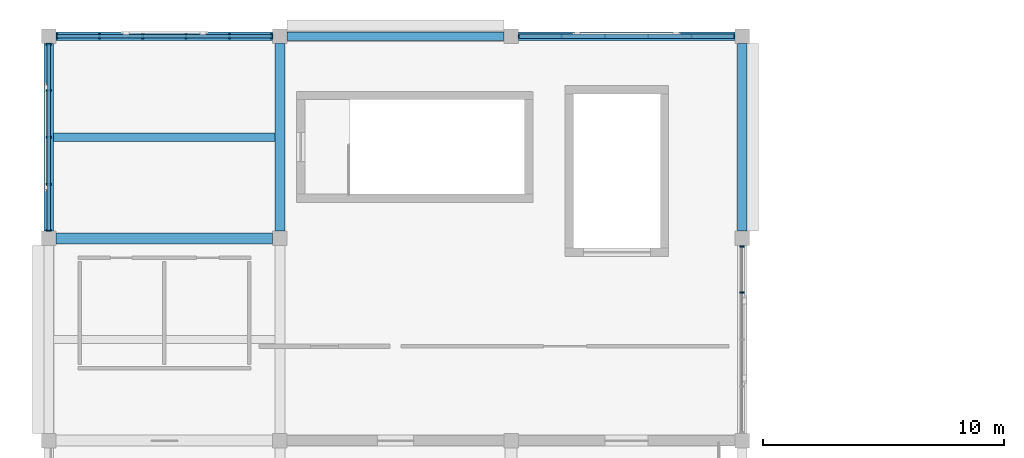
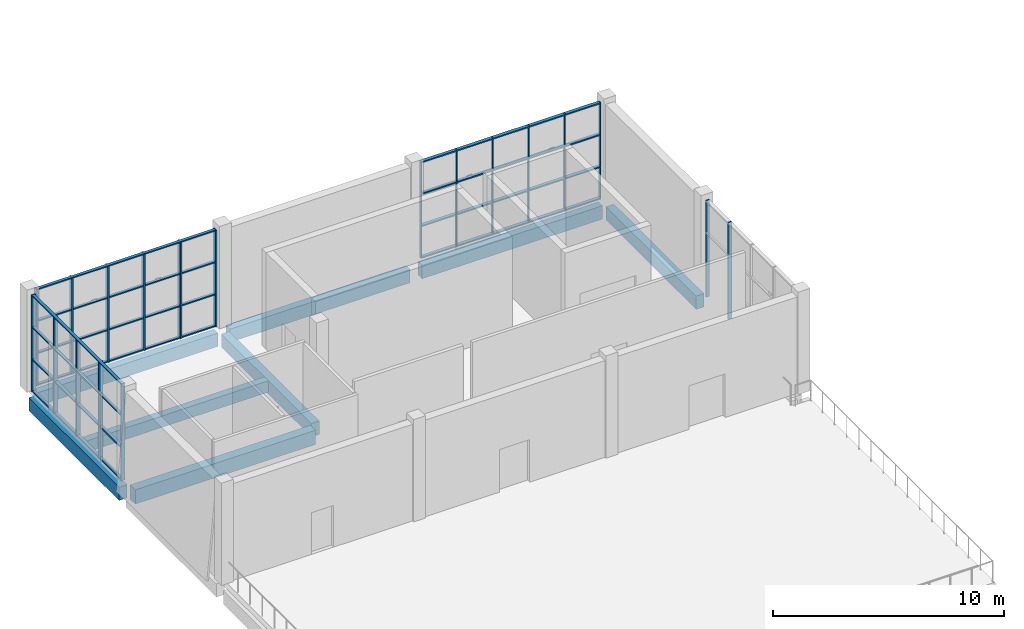
# One storey, part 15 of 57: 31 members, 8 beams, 4 elements without a shape of their own.
"""IFC4 building model written with IfcOpenShell, lengths in metres."""

from ifc_helpers import new_model, si_unit, direction, frame, origin, origin_2d, place, context, subcontext, project, spatial, rectangle, extrude, material, material_profile, profile_set, type_object, element, aggregate, save


model = new_model("IFC4")

# Units and contexts
model_context = context("Model", 3, precision=1e-05, world=origin(), true_north=direction((0.0, 1.0)))
body_context = subcontext(model_context, "Body", "Model", "MODEL_VIEW")
ifc_project = project(units=[si_unit("LENGTHUNIT", "METRE"), si_unit("AREAUNIT", "SQUARE_METRE"), si_unit("VOLUMEUNIT", "CUBIC_METRE"), si_unit("PLANEANGLEUNIT", "RADIAN"), si_unit("MASSUNIT", "GRAM", prefix="KILO")], contexts=[model_context])

# Site, building, storey
site_placement = place(None, origin())
site = spatial("IfcSite", under=ifc_project, at=site_placement, CompositionType="ELEMENT")
building_placement = place(site_placement, origin())
building = spatial("IfcBuilding", under=site, at=building_placement, Name="Shalvenor Court Art Gallery", CompositionType="ELEMENT")
storey_placement = place(building_placement, frame((0.0, 0.0, 16.800048828125)))
storey = spatial("IfcBuildingStorey", under=building, at=storey_placement, Name="L03", CompositionType="ELEMENT", Elevation=16.800048828125)

# Beams
ifc_material_1 = material(Name="Concrete C40/50", Category="concrete")
ifc_material_profile_1 = material_profile(ifc_material_1, rectangle(XDim=0.449951171875, YDim=0.75, at=origin_2d()), Name="RC 450x750")
ifc_profile_set_1 = profile_set([ifc_material_profile_1], Name="Concrete C40/50")
beam_type_1 = type_object("IfcBeamType", Name="B-04", PredefinedType="BEAM", material=ifc_profile_set_1)
beam_1_placement = place(storey_placement, frame((0.300048828125, 114.0, -0.675048828125), z_axis=(1.0, 0.0, 0.0), x_axis=(0.0, 1.0, 0.0)))
element("IfcBeam", 1, at=beam_1_placement, inside=storey, type_object=beam_type_1, Name="L03 Girder BM-L03-B-04-1112", PredefinedType="BEAM", context=body_context, shape_type="SweptSolid", body=[
    extrude(rectangle(XDim=0.449951171875, YDim=0.75, at=origin_2d()), origin(), (0.0, 0.0, 1.0), 9.0),
])
ifc_material_2 = material(Name="Concrete C40/50", Category="concrete")
ifc_material_profile_2 = material_profile(ifc_material_2, rectangle(XDim=0.39990234375, YDim=0.699951171875, at=origin_2d()), Name="RC 400x700")
ifc_profile_set_2 = profile_set([ifc_material_profile_2], Name="Concrete C40/50")
beam_type_2 = type_object("IfcBeamType", Name="B-05", PredefinedType="BEAM", material=ifc_profile_set_2)
for number, where, z_axis, x_axis, name in (
    (2, (0.0, 114.300048828125, -0.650146484375), (0.0, 1.0, 0.0), (-1.0, 0.0, 0.0), "L03 Girder BM-L03-B-05-0968"),
    (3, (9.60009765625, 114.300048828125, -0.650146484375), (0.0, 1.0, 0.0), (-1.0, 0.0, 0.0), "L03 Girder BM-L03-B-05-0972"),
    (4, (28.800048828125, 114.300048828125, -0.650146484375), (0.0, 1.0, 0.0), (-1.0, 0.0, 0.0), "L03 Girder BM-L03-B-05-0977"),
):
    element("IfcBeam", number, at=place(storey_placement, frame(where, z_axis=z_axis, x_axis=x_axis)), inside=storey, type_object=beam_type_2, Name=name, PredefinedType="BEAM", context=body_context, shape_type="SweptSolid", body=[
        extrude(rectangle(XDim=0.39990234375, YDim=0.699951171875, at=origin_2d()), origin(), (0.0, 0.0, 1.0), 7.800048828125),
    ])

# Curtain wall, members
ifc_material_3 = material(Name="Anodised aluminium and low-iron glass curtain wall", Category="aluminium")
curtain_wall_type_1 = type_object("IfcCurtainWallType", Name="CW-4x3-78-51-141", PredefinedType="USERDEFINED", material=ifc_material_3)
curtain_wall_1_placement = place(storey_placement, origin())
curtain_wall_1 = element("IfcCurtainWall", 5, at=curtain_wall_1_placement, inside=storey, type_object=curtain_wall_type_1, Name="L03 V5 Curtain Wall CW-L03-188", ObjectType="CURTAIN WALL", PredefinedType="USERDEFINED")
ifc_material_4 = material(Name="Anodised aluminium mullion", Category="aluminium")
ifc_material_profile_3 = material_profile(ifc_material_4, rectangle(XDim=0.06494140625, YDim=0.179931640625, at=origin_2d()), Name="CWM-01")
ifc_profile_set_3 = profile_set([ifc_material_profile_3], Name="Anodised aluminium mullion")
member_type_1 = type_object("IfcMemberType", Name="CWM-01", PredefinedType="MULLION", material=ifc_profile_set_3)
member_1_placement = place(storey_placement, frame((28.800048828125, 113.66748046875, 0.0), z_axis=(0.0, 0.0, 1.0), x_axis=(0.0, -1.0, 0.0)))
member_1 = element("IfcMember", 6, at=member_1_placement, type_object=member_type_1, Name="CW-4x3-78-51-141 mullion 1", PredefinedType="MULLION", context=body_context, shape_type="SweptSolid", body=[
    extrude(rectangle(XDim=0.06494140625, YDim=0.179931640625, at=origin_2d()), origin(), (0.0, 0.0, 1.0), 5.099853515625),
])
member_2_placement = place(storey_placement, frame((28.800048828125, 111.75, 0.0), z_axis=(0.0, 0.0, 1.0), x_axis=(0.0, -1.0, 0.0)))
member_2 = element("IfcMember", 7, at=member_2_placement, type_object=member_type_1, Name="CW-4x3-78-51-141 mullion 2", PredefinedType="MULLION", context=body_context, shape_type="SweptSolid", body=[
    extrude(rectangle(XDim=0.06494140625, YDim=0.179931640625, at=origin_2d()), origin(), (0.0, 0.0, 1.0), 5.099853515625),
])
aggregate(curtain_wall_1, [member_1, member_2])

ifc_material_5 = material(Name="Anodised aluminium and low-iron glass curtain wall", Category="aluminium")
curtain_wall_type_2 = type_object("IfcCurtainWallType", Name="CW-4x3-78-51-211", PredefinedType="USERDEFINED", material=ifc_material_5)
curtain_wall_2_placement = place(storey_placement, origin())
curtain_wall_2 = element("IfcCurtainWall", 8, at=curtain_wall_2_placement, inside=storey, type_object=curtain_wall_type_2, Name="L03 V5 Curtain Wall CW-L03-189", ObjectType="CURTAIN WALL", PredefinedType="USERDEFINED")
ifc_material_6 = material(Name="Anodised aluminium mullion", Category="aluminium")
ifc_material_profile_4 = material_profile(ifc_material_6, rectangle(XDim=0.070068359375, YDim=0.199951171875, at=origin_2d()), Name="CWM-02")
ifc_profile_set_4 = profile_set([ifc_material_profile_4], Name="Anodised aluminium mullion")
member_type_2 = type_object("IfcMemberType", Name="CWM-02", PredefinedType="MULLION", material=ifc_profile_set_4)
member_3_placement = place(storey_placement, frame((0.0, 114.3349609375, 0.0), z_axis=(0.0, 0.0, 1.0), x_axis=(0.0, 1.0, 0.0)))
member_3 = element("IfcMember", 9, at=member_3_placement, type_object=member_type_2, Name="CW-4x3-78-51-211 mullion 1", PredefinedType="MULLION", context=body_context, shape_type="SweptSolid", body=[
    extrude(rectangle(XDim=0.070068359375, YDim=0.199951171875, at=origin_2d()), origin(), (0.0, 0.0, 1.0), 5.099853515625),
])
member_4_placement = place(storey_placement, frame((0.0, 116.25, 0.0), z_axis=(0.0, 0.0, 1.0), x_axis=(0.0, 1.0, 0.0)))
member_4 = element("IfcMember", 10, at=member_4_placement, type_object=member_type_2, Name="CW-4x3-78-51-211 mullion 2", PredefinedType="MULLION", context=body_context, shape_type="SweptSolid", body=[
    extrude(rectangle(XDim=0.070068359375, YDim=0.199951171875, at=origin_2d()), origin(), (0.0, 0.0, 1.0), 5.099853515625),
])
member_5_placement = place(storey_placement, frame((0.0, 118.199951171875, 0.0), z_axis=(0.0, 0.0, 1.0), x_axis=(0.0, 1.0, 0.0)))
member_5 = element("IfcMember", 11, at=member_5_placement, type_object=member_type_2, Name="CW-4x3-78-51-211 mullion 3", PredefinedType="MULLION", context=body_context, shape_type="SweptSolid", body=[
    extrude(rectangle(XDim=0.070068359375, YDim=0.199951171875, at=origin_2d()), origin(), (0.0, 0.0, 1.0), 5.099853515625),
])
member_6_placement = place(storey_placement, frame((0.0, 120.14990234375, 0.0), z_axis=(0.0, 0.0, 1.0), x_axis=(0.0, 1.0, 0.0)))
member_6 = element("IfcMember", 12, at=member_6_placement, type_object=member_type_2, Name="CW-4x3-78-51-211 mullion 4", PredefinedType="MULLION", context=body_context, shape_type="SweptSolid", body=[
    extrude(rectangle(XDim=0.070068359375, YDim=0.199951171875, at=origin_2d()), origin(), (0.0, 0.0, 1.0), 5.099853515625),
])
member_7_placement = place(storey_placement, frame((0.0, 122.06494140625, 0.0), z_axis=(0.0, 0.0, 1.0), x_axis=(0.0, 1.0, 0.0)))
member_7 = element("IfcMember", 13, at=member_7_placement, type_object=member_type_2, Name="CW-4x3-78-51-211 mullion 5", PredefinedType="MULLION", context=body_context, shape_type="SweptSolid", body=[
    extrude(rectangle(XDim=0.070068359375, YDim=0.199951171875, at=origin_2d()), origin(), (0.0, 0.0, 1.0), 5.099853515625),
])

ifc_material_7 = material(Name="Anodised aluminium and low-iron glass curtain wall", Category="aluminium")
curtain_wall_type_3 = type_object("IfcCurtainWallType", Name="CW-5x3-90-51-411", PredefinedType="USERDEFINED", material=ifc_material_7)
curtain_wall_3_placement = place(storey_placement, origin())
curtain_wall_3 = element("IfcCurtainWall", 14, at=curtain_wall_3_placement, inside=storey, type_object=curtain_wall_type_3, Name="L03 V5 Curtain Wall CW-L03-186", ObjectType="CURTAIN WALL", PredefinedType="USERDEFINED")
ifc_material_8 = material(Name="Anodised aluminium mullion", Category="aluminium")
ifc_material_profile_5 = material_profile(ifc_material_8, rectangle(XDim=0.074951171875, YDim=0.219970703125, at=origin_2d()), Name="CWM-04")
ifc_profile_set_5 = profile_set([ifc_material_profile_5], Name="Anodised aluminium mullion")
member_type_3 = type_object("IfcMemberType", Name="CWM-04", PredefinedType="MULLION", material=ifc_profile_set_5)
member_8_placement = place(storey_placement, frame((0.33740234375, 122.39990234375, 0.0), z_axis=(0.0, 0.0, 1.0), x_axis=(1.0, 0.0, 0.0)))
member_8 = element("IfcMember", 15, at=member_8_placement, type_object=member_type_3, Name="CW-5x3-90-51-411 mullion 1", PredefinedType="MULLION", context=body_context, shape_type="SweptSolid", body=[
    extrude(rectangle(XDim=0.074951171875, YDim=0.219970703125, at=origin_2d()), origin(), (0.0, 0.0, 1.0), 5.099853515625),
])
member_9_placement = place(storey_placement, frame((2.10009765625, 122.39990234375, 0.0), z_axis=(0.0, 0.0, 1.0), x_axis=(1.0, 0.0, 0.0)))
member_9 = element("IfcMember", 16, at=member_9_placement, type_object=member_type_3, Name="CW-5x3-90-51-411 mullion 2", PredefinedType="MULLION", context=body_context, shape_type="SweptSolid", body=[
    extrude(rectangle(XDim=0.074951171875, YDim=0.219970703125, at=origin_2d()), origin(), (0.0, 0.0, 1.0), 5.099853515625),
])
member_10_placement = place(storey_placement, frame((3.89990234375, 122.39990234375, 0.0), z_axis=(0.0, 0.0, 1.0), x_axis=(1.0, 0.0, 0.0)))
member_10 = element("IfcMember", 17, at=member_10_placement, type_object=member_type_3, Name="CW-5x3-90-51-411 mullion 3", PredefinedType="MULLION", context=body_context, shape_type="SweptSolid", body=[
    extrude(rectangle(XDim=0.074951171875, YDim=0.219970703125, at=origin_2d()), origin(), (0.0, 0.0, 1.0), 5.099853515625),
])
member_11_placement = place(storey_placement, frame((5.699951171875, 122.39990234375, 0.0), z_axis=(0.0, 0.0, 1.0), x_axis=(1.0, 0.0, 0.0)))
member_11 = element("IfcMember", 18, at=member_11_placement, type_object=member_type_3, Name="CW-5x3-90-51-411 mullion 4", PredefinedType="MULLION", context=body_context, shape_type="SweptSolid", body=[
    extrude(rectangle(XDim=0.074951171875, YDim=0.219970703125, at=origin_2d()), origin(), (0.0, 0.0, 1.0), 5.099853515625),
])
member_12_placement = place(storey_placement, frame((7.5, 122.39990234375, 0.0), z_axis=(0.0, 0.0, 1.0), x_axis=(1.0, 0.0, 0.0)))
member_12 = element("IfcMember", 19, at=member_12_placement, type_object=member_type_3, Name="CW-5x3-90-51-411 mullion 5", PredefinedType="MULLION", context=body_context, shape_type="SweptSolid", body=[
    extrude(rectangle(XDim=0.074951171875, YDim=0.219970703125, at=origin_2d()), origin(), (0.0, 0.0, 1.0), 5.099853515625),
])
member_13_placement = place(storey_placement, frame((9.262451171875, 122.39990234375, 0.0), z_axis=(0.0, 0.0, 1.0), x_axis=(1.0, 0.0, 0.0)))
member_13 = element("IfcMember", 20, at=member_13_placement, type_object=member_type_3, Name="CW-5x3-90-51-411 mullion 6", PredefinedType="MULLION", context=body_context, shape_type="SweptSolid", body=[
    extrude(rectangle(XDim=0.074951171875, YDim=0.219970703125, at=origin_2d()), origin(), (0.0, 0.0, 1.0), 5.099853515625),
])

ifc_material_9 = material(Name="Anodised aluminium and low-iron glass curtain wall", Category="aluminium")
curtain_wall_type_4 = type_object("IfcCurtainWallType", Name="CW-5x3-90-51-621", PredefinedType="USERDEFINED", material=ifc_material_9)
curtain_wall_4_placement = place(storey_placement, origin())
curtain_wall_4 = element("IfcCurtainWall", 21, at=curtain_wall_4_placement, inside=storey, type_object=curtain_wall_type_4, Name="L03 V5 Curtain Wall CW-L03-187", ObjectType="CURTAIN WALL", PredefinedType="USERDEFINED")
ifc_material_10 = material(Name="Anodised aluminium mullion", Category="aluminium")
ifc_material_profile_6 = material_profile(ifc_material_10, rectangle(XDim=0.054931640625, YDim=0.139892578125, at=origin_2d()), Name="CWM-06")
ifc_profile_set_6 = profile_set([ifc_material_profile_6], Name="Anodised aluminium mullion")
member_type_4 = type_object("IfcMemberType", Name="CWM-06", PredefinedType="MULLION", material=ifc_profile_set_6)
member_14_placement = place(storey_placement, frame((19.527587890625, 122.39990234375, 0.0), z_axis=(0.0, 0.0, 1.0), x_axis=(1.0, 0.0, 0.0)))
member_14 = element("IfcMember", 22, at=member_14_placement, type_object=member_type_4, Name="CW-5x3-90-51-621 mullion 1", PredefinedType="MULLION", context=body_context, shape_type="SweptSolid", body=[
    extrude(rectangle(XDim=0.054931640625, YDim=0.139892578125, at=origin_2d()), origin(), (0.0, 0.0, 1.0), 5.099853515625),
])
member_15_placement = place(storey_placement, frame((21.300048828125, 122.39990234375, 0.0), z_axis=(0.0, 0.0, 1.0), x_axis=(1.0, 0.0, 0.0)))
member_15 = element("IfcMember", 23, at=member_15_placement, type_object=member_type_4, Name="CW-5x3-90-51-621 mullion 2", PredefinedType="MULLION", context=body_context, shape_type="SweptSolid", body=[
    extrude(rectangle(XDim=0.054931640625, YDim=0.139892578125, at=origin_2d()), origin(), (0.0, 0.0, 1.0), 5.099853515625),
])
member_16_placement = place(storey_placement, frame((23.10009765625, 122.39990234375, 0.0), z_axis=(0.0, 0.0, 1.0), x_axis=(1.0, 0.0, 0.0)))
member_16 = element("IfcMember", 24, at=member_16_placement, type_object=member_type_4, Name="CW-5x3-90-51-621 mullion 3", PredefinedType="MULLION", context=body_context, shape_type="SweptSolid", body=[
    extrude(rectangle(XDim=0.054931640625, YDim=0.139892578125, at=origin_2d()), origin(), (0.0, 0.0, 1.0), 5.099853515625),
])
member_17_placement = place(storey_placement, frame((24.89990234375, 122.39990234375, 0.0), z_axis=(0.0, 0.0, 1.0), x_axis=(1.0, 0.0, 0.0)))
member_17 = element("IfcMember", 25, at=member_17_placement, type_object=member_type_4, Name="CW-5x3-90-51-621 mullion 4", PredefinedType="MULLION", context=body_context, shape_type="SweptSolid", body=[
    extrude(rectangle(XDim=0.054931640625, YDim=0.139892578125, at=origin_2d()), origin(), (0.0, 0.0, 1.0), 5.099853515625),
])
member_18_placement = place(storey_placement, frame((26.699951171875, 122.39990234375, 0.0), z_axis=(0.0, 0.0, 1.0), x_axis=(1.0, 0.0, 0.0)))
member_18 = element("IfcMember", 26, at=member_18_placement, type_object=member_type_4, Name="CW-5x3-90-51-621 mullion 5", PredefinedType="MULLION", context=body_context, shape_type="SweptSolid", body=[
    extrude(rectangle(XDim=0.054931640625, YDim=0.139892578125, at=origin_2d()), origin(), (0.0, 0.0, 1.0), 5.099853515625),
])
member_19_placement = place(storey_placement, frame((28.472412109375, 122.39990234375, 0.0), z_axis=(0.0, 0.0, 1.0), x_axis=(1.0, 0.0, 0.0)))
member_19 = element("IfcMember", 27, at=member_19_placement, type_object=member_type_4, Name="CW-5x3-90-51-621 mullion 6", PredefinedType="MULLION", context=body_context, shape_type="SweptSolid", body=[
    extrude(rectangle(XDim=0.054931640625, YDim=0.139892578125, at=origin_2d()), origin(), (0.0, 0.0, 1.0), 5.099853515625),
])

# Member
ifc_material_11 = material(Name="Anodised aluminium transom", Category="aluminium")
ifc_material_profile_7 = material_profile(ifc_material_11, rectangle(XDim=0.14990234375, YDim=0.06005859375, at=origin_2d()), Name="CWT-01")
ifc_profile_set_7 = profile_set([ifc_material_profile_7], Name="Anodised aluminium transom")
member_type_5 = type_object("IfcMemberType", Name="CWT-01", PredefinedType="USERDEFINED", material=ifc_profile_set_7)
member_20_placement = place(storey_placement, frame((0.33740234375, 122.39990234375, 0.030029296875), z_axis=(1.0, 0.0, 0.0), x_axis=(0.0, 1.0, 0.0)))
member_20 = element("IfcMember", 28, at=member_20_placement, type_object=member_type_5, Name="CW-5x3-90-51-411 transom 1", ObjectType="TRANSOM", PredefinedType="USERDEFINED", context=body_context, shape_type="SweptSolid", body=[
    extrude(rectangle(XDim=0.14990234375, YDim=0.06005859375, at=origin_2d()), origin(), (0.0, 0.0, 1.0), 8.925048828125),
])

member_21_placement = place(storey_placement, frame((0.33740234375, 122.39990234375, 1.699951171875), z_axis=(1.0, 0.0, 0.0), x_axis=(0.0, 1.0, 0.0)))
member_21 = element("IfcMember", 29, at=member_21_placement, type_object=member_type_5, Name="CW-5x3-90-51-411 transom 2", ObjectType="TRANSOM", PredefinedType="USERDEFINED", context=body_context, shape_type="SweptSolid", body=[
    extrude(rectangle(XDim=0.14990234375, YDim=0.06005859375, at=origin_2d()), origin(), (0.0, 0.0, 1.0), 8.925048828125),
])

member_22_placement = place(storey_placement, frame((0.33740234375, 122.39990234375, 3.39990234375), z_axis=(1.0, 0.0, 0.0), x_axis=(0.0, 1.0, 0.0)))
member_22 = element("IfcMember", 30, at=member_22_placement, type_object=member_type_5, Name="CW-5x3-90-51-411 transom 3", ObjectType="TRANSOM", PredefinedType="USERDEFINED", context=body_context, shape_type="SweptSolid", body=[
    extrude(rectangle(XDim=0.14990234375, YDim=0.06005859375, at=origin_2d()), origin(), (0.0, 0.0, 1.0), 8.925048828125),
])

member_23_placement = place(storey_placement, frame((0.33740234375, 122.39990234375, 5.070068359375), z_axis=(1.0, 0.0, 0.0), x_axis=(0.0, 1.0, 0.0)))
member_23 = element("IfcMember", 31, at=member_23_placement, type_object=member_type_5, Name="CW-5x3-90-51-411 transom 4", ObjectType="TRANSOM", PredefinedType="USERDEFINED", context=body_context, shape_type="SweptSolid", body=[
    extrude(rectangle(XDim=0.14990234375, YDim=0.06005859375, at=origin_2d()), origin(), (0.0, 0.0, 1.0), 8.925048828125),
])

aggregate(curtain_wall_3, [member_8, member_9, member_10, member_11, member_12, member_13, member_20, member_21, member_22, member_23])

member_24_placement = place(storey_placement, frame((0.0, 114.3349609375, 0.030029296875), z_axis=(0.0, 1.0, 0.0), x_axis=(-1.0, 0.0, 0.0)))
member_24 = element("IfcMember", 32, at=member_24_placement, type_object=member_type_5, Name="CW-4x3-78-51-211 transom 1", ObjectType="TRANSOM", PredefinedType="USERDEFINED", context=body_context, shape_type="SweptSolid", body=[
    extrude(rectangle(XDim=0.14990234375, YDim=0.06005859375, at=origin_2d()), origin(), (0.0, 0.0, 1.0), 7.72998046875),
])

member_25_placement = place(storey_placement, frame((0.0, 114.3349609375, 1.699951171875), z_axis=(0.0, 1.0, 0.0), x_axis=(-1.0, 0.0, 0.0)))
member_25 = element("IfcMember", 33, at=member_25_placement, type_object=member_type_5, Name="CW-4x3-78-51-211 transom 2", ObjectType="TRANSOM", PredefinedType="USERDEFINED", context=body_context, shape_type="SweptSolid", body=[
    extrude(rectangle(XDim=0.14990234375, YDim=0.06005859375, at=origin_2d()), origin(), (0.0, 0.0, 1.0), 7.72998046875),
])

member_26_placement = place(storey_placement, frame((0.0, 114.3349609375, 3.39990234375), z_axis=(0.0, 1.0, 0.0), x_axis=(-1.0, 0.0, 0.0)))
member_26 = element("IfcMember", 34, at=member_26_placement, type_object=member_type_5, Name="CW-4x3-78-51-211 transom 3", ObjectType="TRANSOM", PredefinedType="USERDEFINED", context=body_context, shape_type="SweptSolid", body=[
    extrude(rectangle(XDim=0.14990234375, YDim=0.06005859375, at=origin_2d()), origin(), (0.0, 0.0, 1.0), 7.72998046875),
])

member_27_placement = place(storey_placement, frame((0.0, 114.3349609375, 5.070068359375), z_axis=(0.0, 1.0, 0.0), x_axis=(-1.0, 0.0, 0.0)))
member_27 = element("IfcMember", 35, at=member_27_placement, type_object=member_type_5, Name="CW-4x3-78-51-211 transom 4", ObjectType="TRANSOM", PredefinedType="USERDEFINED", context=body_context, shape_type="SweptSolid", body=[
    extrude(rectangle(XDim=0.14990234375, YDim=0.06005859375, at=origin_2d()), origin(), (0.0, 0.0, 1.0), 7.72998046875),
])

aggregate(curtain_wall_2, [member_3, member_4, member_5, member_6, member_7, member_24, member_25, member_26, member_27])

ifc_material_12 = material(Name="Anodised aluminium transom", Category="aluminium")
ifc_material_profile_8 = material_profile(ifc_material_12, rectangle(XDim=0.169921875, YDim=0.06494140625, at=origin_2d()), Name="CWT-02")
ifc_profile_set_8 = profile_set([ifc_material_profile_8], Name="Anodised aluminium transom")
member_type_6 = type_object("IfcMemberType", Name="CWT-02", PredefinedType="USERDEFINED", material=ifc_profile_set_8)
member_28_placement = place(storey_placement, frame((19.527587890625, 122.39990234375, 0.032470703125), z_axis=(1.0, 0.0, 0.0), x_axis=(0.0, 1.0, 0.0)))
member_28 = element("IfcMember", 36, at=member_28_placement, type_object=member_type_6, Name="CW-5x3-90-51-621 transom 1", ObjectType="TRANSOM", PredefinedType="USERDEFINED", context=body_context, shape_type="SweptSolid", body=[
    extrude(rectangle(XDim=0.169921875, YDim=0.06494140625, at=origin_2d()), origin(), (0.0, 0.0, 1.0), 8.94482421875),
])

member_29_placement = place(storey_placement, frame((19.527587890625, 122.39990234375, 1.699951171875), z_axis=(1.0, 0.0, 0.0), x_axis=(0.0, 1.0, 0.0)))
member_29 = element("IfcMember", 37, at=member_29_placement, type_object=member_type_6, Name="CW-5x3-90-51-621 transom 2", ObjectType="TRANSOM", PredefinedType="USERDEFINED", context=body_context, shape_type="SweptSolid", body=[
    extrude(rectangle(XDim=0.169921875, YDim=0.06494140625, at=origin_2d()), origin(), (0.0, 0.0, 1.0), 8.94482421875),
])

member_30_placement = place(storey_placement, frame((19.527587890625, 122.39990234375, 3.39990234375), z_axis=(1.0, 0.0, 0.0), x_axis=(0.0, 1.0, 0.0)))
member_30 = element("IfcMember", 38, at=member_30_placement, type_object=member_type_6, Name="CW-5x3-90-51-621 transom 3", ObjectType="TRANSOM", PredefinedType="USERDEFINED", context=body_context, shape_type="SweptSolid", body=[
    extrude(rectangle(XDim=0.169921875, YDim=0.06494140625, at=origin_2d()), origin(), (0.0, 0.0, 1.0), 8.94482421875),
])

member_31_placement = place(storey_placement, frame((19.527587890625, 122.39990234375, 5.0673828125), z_axis=(1.0, 0.0, 0.0), x_axis=(0.0, 1.0, 0.0)))
member_31 = element("IfcMember", 39, at=member_31_placement, type_object=member_type_6, Name="CW-5x3-90-51-621 transom 4", ObjectType="TRANSOM", PredefinedType="USERDEFINED", context=body_context, shape_type="SweptSolid", body=[
    extrude(rectangle(XDim=0.169921875, YDim=0.06494140625, at=origin_2d()), origin(), (0.0, 0.0, 1.0), 8.94482421875),
])

aggregate(curtain_wall_4, [member_14, member_15, member_16, member_17, member_18, member_19, member_28, member_29, member_30, member_31])

# Beams
ifc_material_13 = material(Name="Concrete C40/50", Category="concrete")
ifc_material_profile_9 = material_profile(ifc_material_13, rectangle(XDim=0.35009765625, YDim=0.60009765625, at=origin_2d()), Name="RC 350x600")
ifc_profile_set_9 = profile_set([ifc_material_profile_9], Name="Concrete C40/50")
beam_type_3 = type_object("IfcBeamType", Name="J-01", PredefinedType="JOIST", material=ifc_profile_set_9)
beam_2_placement = place(storey_placement, frame((0.199951171875, 118.199951171875, -0.60009765625), z_axis=(1.0, 0.0, 0.0), x_axis=(0.0, 1.0, 0.0)))
element("IfcBeam", 40, at=beam_2_placement, inside=storey, type_object=beam_type_3, Name="L03 Secondary Beam JST-L03-J-01-1131", PredefinedType="JOIST", context=body_context, shape_type="SweptSolid", body=[
    extrude(rectangle(XDim=0.35009765625, YDim=0.60009765625, at=origin_2d()), origin(), (0.0, 0.0, 1.0), 9.199951171875),
])
ifc_material_14 = material(Name="Concrete C40/50", Category="concrete")
ifc_material_profile_10 = material_profile(ifc_material_14, rectangle(XDim=0.35009765625, YDim=0.699951171875, at=origin_2d()), Name="RC 350x700")
ifc_profile_set_10 = profile_set([ifc_material_profile_10], Name="Concrete C40/50")
beam_type_4 = type_object("IfcBeamType", Name="SP-01", PredefinedType="SPANDREL", material=ifc_profile_set_10)
for number, where, z_axis, x_axis, name in (
    (41, (0.300048828125, 122.39990234375, -0.650146484375), (1.0, 0.0, 0.0), (0.0, 1.0, 0.0), "L03 Spandrel Girder BM-L03-SP-01-1120"),
    (42, (9.89990234375, 122.39990234375, -0.650146484375), (1.0, 0.0, 0.0), (0.0, 1.0, 0.0), "L03 Spandrel Girder BM-L03-SP-01-1121"),
    (43, (19.5, 122.39990234375, -0.650146484375), (1.0, 0.0, 0.0), (0.0, 1.0, 0.0), "L03 Spandrel Girder BM-L03-SP-01-1122"),
):
    element("IfcBeam", number, at=place(storey_placement, frame(where, z_axis=z_axis, x_axis=x_axis)), inside=storey, type_object=beam_type_4, Name=name, PredefinedType="SPANDREL", context=body_context, shape_type="SweptSolid", body=[
        extrude(rectangle(XDim=0.35009765625, YDim=0.699951171875, at=origin_2d()), origin(), (0.0, 0.0, 1.0), 9.0),
    ])

save(model, "model.ifc")
